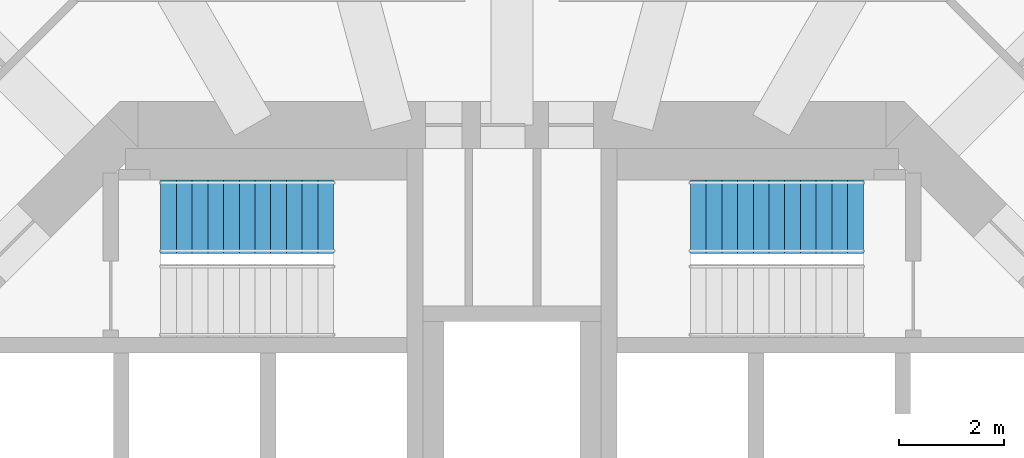
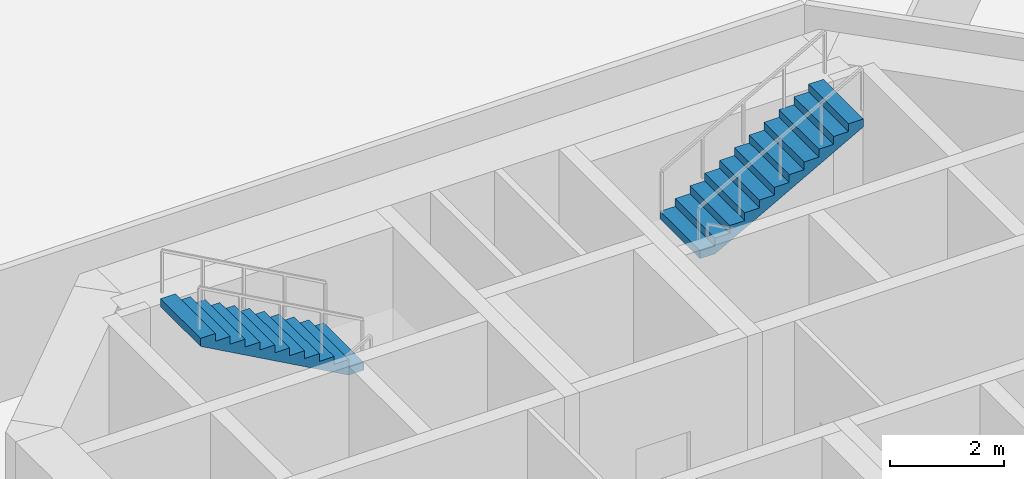
# One storey, part 7 of 9: 2 stair flights, 2 elements without a shape of their own.
"""IFC4 building model written with IfcOpenShell, lengths in metres."""

from ifc_helpers import new_model, si_unit, direction, frame, origin, place, context, subcontext, project, spatial, polyline, outline, extrude, material, type_object, element, aggregate, save


model = new_model("IFC4")

# Units and contexts
model_context = context("Model", 3, precision=1e-05, world=origin(), true_north=direction((0.0, 1.0)))
body_context = subcontext(model_context, "Body", "Model", "MODEL_VIEW")
ifc_project = project(units=[si_unit("LENGTHUNIT", "METRE"), si_unit("AREAUNIT", "SQUARE_METRE"), si_unit("VOLUMEUNIT", "CUBIC_METRE"), si_unit("PLANEANGLEUNIT", "RADIAN"), si_unit("MASSUNIT", "GRAM", prefix="KILO")], contexts=[model_context])

# Site, building, storey
site_placement = place(None, origin())
site = spatial("IfcSite", under=ifc_project, at=site_placement, CompositionType="ELEMENT")
building_placement = place(site_placement, origin())
building = spatial("IfcBuilding", under=site, at=building_placement, Name="Torre Triforio", CompositionType="ELEMENT")
storey_placement = place(building_placement, frame((0.0, 0.0, 39.0)))
storey = spatial("IfcBuildingStorey", under=building, at=storey_placement, Name="L07", CompositionType="ELEMENT", Elevation=39.0)

# Stair, stair flight
ifc_material = material(Name="Concrete C40", Category="concrete")
stair_type = type_object("IfcStairType", Name="STAIR HALF-TURN", PredefinedType="HALF_TURN_STAIR", material=ifc_material)
stair_1_placement = place(storey_placement, origin())
stair_1 = element("IfcStair", 1, at=stair_1_placement, inside=storey, type_object=stair_type, Name="Exit stair 1", PredefinedType="HALF_TURN_STAIR")
stair_flight_type = type_object("IfcStairFlightType", Name="STAIR FLIGHT 1400", PredefinedType="STRAIGHT", material=ifc_material)
stair_flight_1_placement = place(storey_placement, frame((-3.39990234375, 6.800048828125, 2.0), z_axis=(0.0, 0.0, 1.0), x_axis=(-1.0, 0.0, 0.0)))
stair_flight_1 = element("IfcStairFlight", 2, at=stair_flight_1_placement, type_object=stair_flight_type, Name="ST1 flight 2", NumberOfRisers=12, NumberOfTreads=11, PredefinedType="STRAIGHT", RiserHeight=0.166666667, TreadLength=0.3, context=body_context, shape_type="SweptSolid", body=[
    extrude(outline(polyline([(0.0, 0.0), (0.0, 0.166748046875), (0.300048828125, 0.166748046875), (0.300048828125, 0.333251953125), (0.60009765625, 0.333251953125), (0.60009765625, 0.5), (0.89990234375, 0.5), (0.89990234375, 0.666748046875), (1.199951171875, 0.666748046875), (1.199951171875, 0.833251953125), (1.5, 0.833251953125), (1.5, 1.0), (1.800048828125, 1.0), (1.800048828125, 1.166748046875), (2.10009765625, 1.166748046875), (2.10009765625, 1.333251953125), (2.39990234375, 1.333251953125), (2.39990234375, 1.5), (2.699951171875, 1.5), (2.699951171875, 1.666748046875), (3.0, 1.666748046875), (3.0, 1.833251953125), (3.300048828125, 1.833251953125), (3.300048828125, 2.0), (3.300048828125, 1.661865234375), (0.30859375, 0.0), (0.0, 0.0)])), frame((0.0, 0.699951171875, 0.0), z_axis=(0.0, -1.0, 0.0), x_axis=(1.0, 0.0, 0.0)), (0.0, 0.0, 1.0), 1.39990234375),
])
aggregate(stair_1, [stair_flight_1])

stair_2_placement = place(storey_placement, origin())
stair_2 = element("IfcStair", 3, at=stair_2_placement, inside=storey, type_object=stair_type, Name="Exit stair 2", PredefinedType="HALF_TURN_STAIR")
stair_flight_2_placement = place(storey_placement, frame((3.39990234375, 6.800048828125, 2.0), z_axis=(0.0, 0.0, 1.0), x_axis=(1.0, 0.0, 0.0)))
stair_flight_2 = element("IfcStairFlight", 4, at=stair_flight_2_placement, type_object=stair_flight_type, Name="ST2 flight 2", NumberOfRisers=12, NumberOfTreads=11, PredefinedType="STRAIGHT", RiserHeight=0.166666667, TreadLength=0.3, context=body_context, shape_type="SweptSolid", body=[
    extrude(outline(polyline([(0.0, 0.0), (0.0, 0.166748046875), (0.300048828125, 0.166748046875), (0.300048828125, 0.333251953125), (0.60009765625, 0.333251953125), (0.60009765625, 0.5), (0.89990234375, 0.5), (0.89990234375, 0.666748046875), (1.199951171875, 0.666748046875), (1.199951171875, 0.833251953125), (1.5, 0.833251953125), (1.5, 1.0), (1.800048828125, 1.0), (1.800048828125, 1.166748046875), (2.10009765625, 1.166748046875), (2.10009765625, 1.333251953125), (2.39990234375, 1.333251953125), (2.39990234375, 1.5), (2.699951171875, 1.5), (2.699951171875, 1.666748046875), (3.0, 1.666748046875), (3.0, 1.833251953125), (3.300048828125, 1.833251953125), (3.300048828125, 2.0), (3.300048828125, 1.661865234375), (0.30859375, 0.0), (0.0, 0.0)])), frame((0.0, 0.699951171875, 0.0), z_axis=(0.0, -1.0, 0.0), x_axis=(1.0, 0.0, 0.0)), (0.0, 0.0, 1.0), 1.39990234375),
])
aggregate(stair_2, [stair_flight_2])

save(model, "model.ifc")
